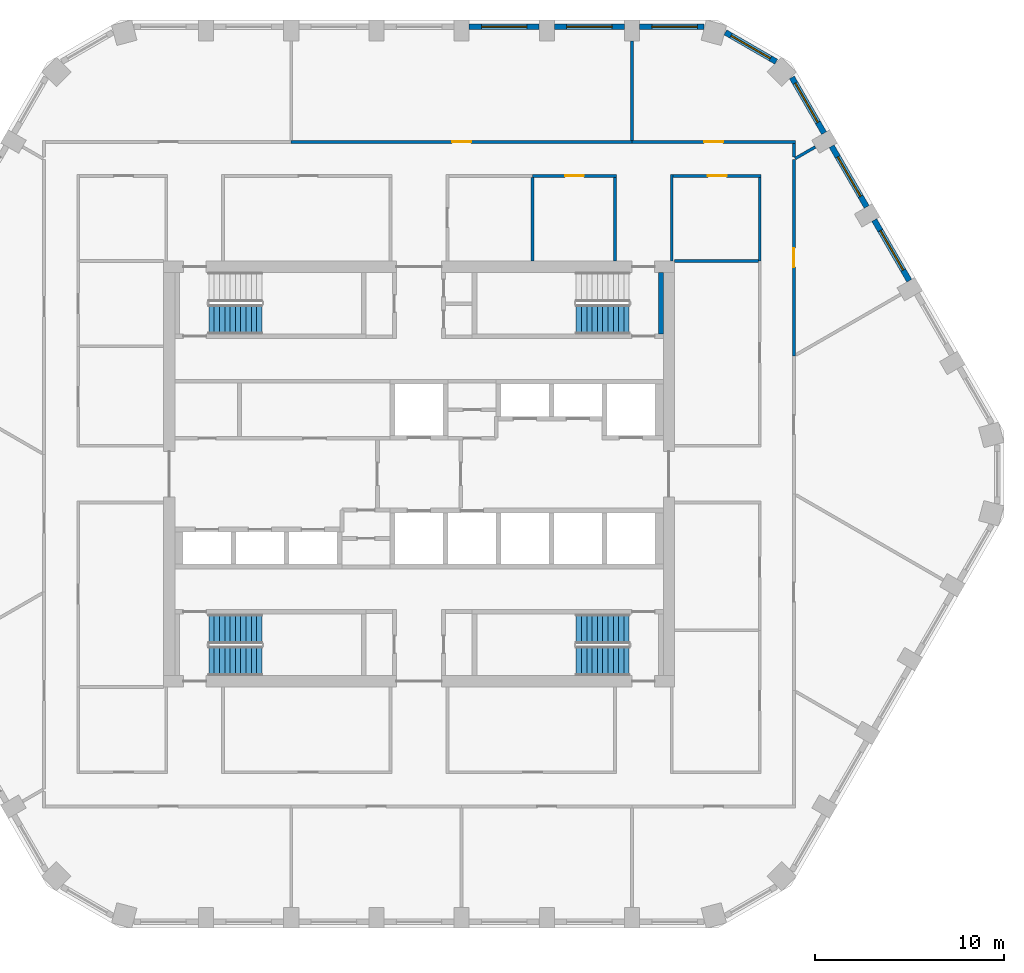
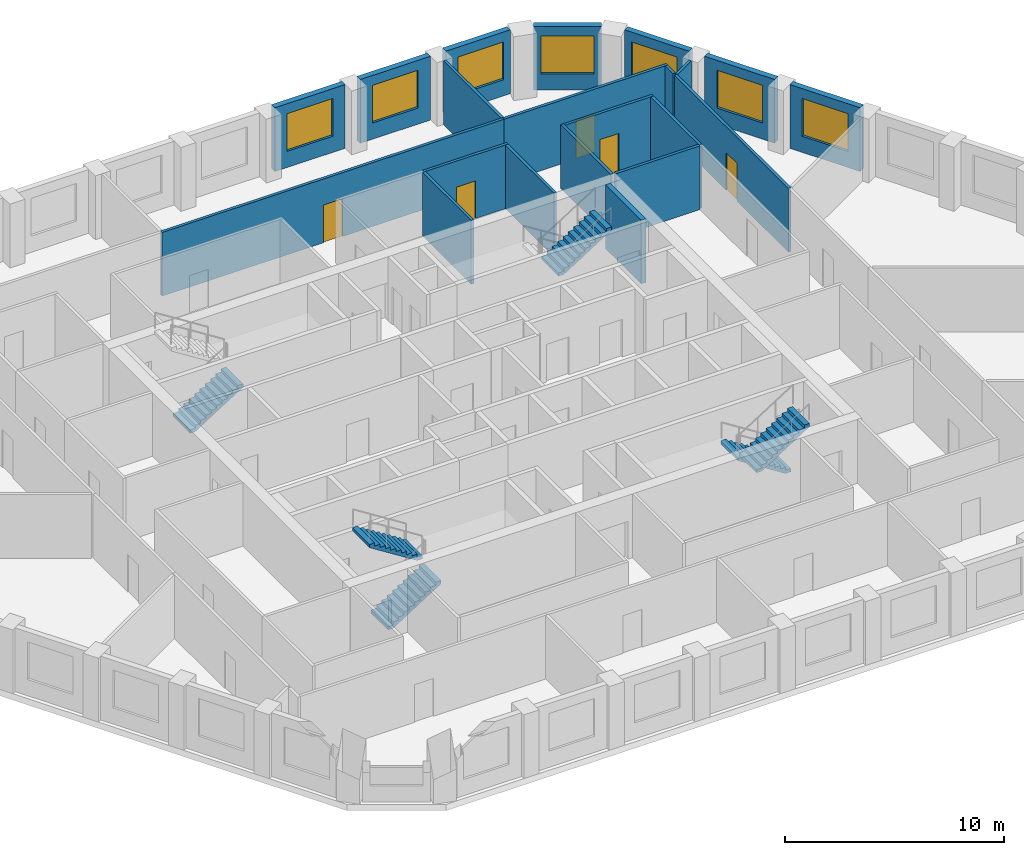
# One storey, part 7 of 9: 21 walls, 7 windows, 6 stair flights, 5 doors, 12 openings, 4 elements without a shape of their own.
"""IFC4 building model written with IfcOpenShell, lengths in metres."""

from ifc_helpers import new_model, si_unit, direction, frame, frame_2d, origin, place, context, subcontext, project, spatial, polyline, rectangle, outline, extrude, material, layer, layer_set, type_object, element, fill, aggregate, save


model = new_model("IFC4")

# Units and contexts
model_context = context("Model", 3, precision=1e-05, world=origin(), true_north=direction((0.0, 1.0)))
body_context = subcontext(model_context, "Body", "Model", "MODEL_VIEW")
ifc_project = project(units=[si_unit("LENGTHUNIT", "METRE"), si_unit("AREAUNIT", "SQUARE_METRE"), si_unit("VOLUMEUNIT", "CUBIC_METRE"), si_unit("PLANEANGLEUNIT", "RADIAN"), si_unit("MASSUNIT", "GRAM", prefix="KILO")], contexts=[model_context])

# Site, building, storey
site_placement = place(None, origin())
site = spatial("IfcSite", under=ifc_project, at=site_placement, CompositionType="ELEMENT")
building_placement = place(site_placement, origin())
building = spatial("IfcBuilding", under=site, at=building_placement, Name="Dhurran Vertical Campus", CompositionType="ELEMENT")
storey_placement = place(building_placement, frame((0.0, 0.0, 199.5)))
storey = spatial("IfcBuildingStorey", under=building, at=storey_placement, Name="L49", CompositionType="ELEMENT", Elevation=199.5)

# Wall, opening, window
ifc_material_1 = material(Name="Precast concrete C50/60", Category="concrete")
ifc_layer_1 = layer(ifc_material_1, 0.300048828125)
ifc_layer_set_1 = layer_set([ifc_layer_1], Name="Precast concrete C50/60")
wall_type_1 = type_object("IfcWallType", Name="Precast spandrel wall 300", PredefinedType="SOLIDWALL", material=ifc_layer_set_1)
wall_1_placement = place(storey_placement, frame((25.893798828125, 10.216064453125, 0.0), z_axis=(0.0, 0.0, 1.0), x_axis=(-0.500029062817, 0.866008623709, 0.0)))
wall_1 = element("IfcWall", 1, at=wall_1_placement, inside=storey, type_object=wall_type_1, Name="EW1 L49.16", PredefinedType="SOLIDWALL", context=body_context, shape_type="SweptSolid", body=[
    extrude(rectangle(XDim=3.698974609375, YDim=0.300048828125, at=frame_2d((1.849609375, 0.0))), origin(), (0.0, 0.0, 1.0), 3.550048828125),
])
opening_1_placement = place(wall_1_placement, frame((0.6494140625, 0.0, 0.89990234375)))
opening_1 = element("IfcOpeningElement", 2, at=opening_1_placement, cuts=wall_1, Name="Opening WT1", PredefinedType="OPENING", context=body_context, shape_type="SweptSolid", body=[
    extrude(rectangle(XDim=2.39990234375, YDim=2.10009765625, at=frame_2d((1.199951171875, 1.050048828125))), frame((0.0, 0.159912109375, 0.0), z_axis=(0.0, -1.0, 0.0), x_axis=(1.0, 0.0, 0.0)), (0.0, 0.0, 1.0), 0.320068359375),
])
ifc_material_2 = material(Name="Aluminium frame with solar-control glass", Category="aluminium")
window_type = type_object("IfcWindowType", Name="Punched window 2400 x 2100", PartitioningType="SINGLE_PANEL", PredefinedType="WINDOW", material=ifc_material_2)
window_1_placement = place(opening_1_placement, origin())
window_1 = element("IfcWindow", 3, at=window_1_placement, inside=storey, type_object=window_type, Name="WT1 L49.16", OverallHeight=2.10009765625, OverallWidth=2.39990234375, PartitioningType="SINGLE_PANEL", PredefinedType="WINDOW", context=body_context, shape_type="SweptSolid", body=[
    extrude(rectangle(XDim=2.39990234375, YDim=2.10009765625, at=frame_2d((1.199951171875, 1.050048828125))), frame((0.0, 0.030029296875, 0.0), z_axis=(0.0, -1.0, 0.0), x_axis=(1.0, 0.0, 0.0)), (0.0, 0.0, 1.0), 0.06005859375),
])
fill(opening_1, window_1)

wall_2_placement = place(storey_placement, frame((23.643798828125, 14.11328125, 0.0), z_axis=(0.0, 0.0, 1.0), x_axis=(-0.500029062817, 0.866008623709, 0.0)))
wall_2 = element("IfcWall", 4, at=wall_2_placement, inside=storey, type_object=wall_type_1, Name="EW1 L49.17", PredefinedType="SOLIDWALL", context=body_context, shape_type="SweptSolid", body=[
    extrude(rectangle(XDim=3.698974609375, YDim=0.300048828125, at=frame_2d((1.849609375, 0.0))), origin(), (0.0, 0.0, 1.0), 3.550048828125),
])
opening_2_placement = place(wall_2_placement, frame((0.6494140625, 0.0, 0.89990234375)))
opening_2 = element("IfcOpeningElement", 5, at=opening_2_placement, cuts=wall_2, Name="Opening WT1", PredefinedType="OPENING", context=body_context, shape_type="SweptSolid", body=[
    extrude(rectangle(XDim=2.39990234375, YDim=2.10009765625, at=frame_2d((1.199951171875, 1.050048828125))), frame((0.0, 0.159912109375, 0.0), z_axis=(0.0, -1.0, 0.0), x_axis=(1.0, 0.0, 0.0)), (0.0, 0.0, 1.0), 0.320068359375),
])
window_2_placement = place(opening_2_placement, origin())
window_2 = element("IfcWindow", 6, at=window_2_placement, inside=storey, type_object=window_type, Name="WT1 L49.17", OverallHeight=2.10009765625, OverallWidth=2.39990234375, PartitioningType="SINGLE_PANEL", PredefinedType="WINDOW", context=body_context, shape_type="SweptSolid", body=[
    extrude(rectangle(XDim=2.39990234375, YDim=2.10009765625, at=frame_2d((1.199951171875, 1.050048828125))), frame((0.0, 0.030029296875, 0.0), z_axis=(0.0, -1.0, 0.0), x_axis=(1.0, 0.0, 0.0)), (0.0, 0.0, 1.0), 0.06005859375),
])
fill(opening_2, window_2)

wall_3_placement = place(storey_placement, frame((21.393798828125, 18.01025390625, 0.0), z_axis=(0.0, 0.0, 1.0), x_axis=(-0.500012868213, 0.866017974191, 0.0)))
wall_3 = element("IfcWall", 7, at=wall_3_placement, inside=storey, type_object=wall_type_1, Name="EW1 L49.18", PredefinedType="SOLIDWALL", context=body_context, shape_type="SweptSolid", body=[
    extrude(rectangle(XDim=3.39599609375, YDim=0.300048828125, at=frame_2d((1.697998046875, 0.0))), origin(), (0.0, 0.0, 1.0), 3.550048828125),
])
opening_3_placement = place(wall_3_placement, frame((0.6494140625, 0.0, 0.89990234375)))
opening_3 = element("IfcOpeningElement", 8, at=opening_3_placement, cuts=wall_3, Name="Opening WT1", PredefinedType="OPENING", context=body_context, shape_type="SweptSolid", body=[
    extrude(rectangle(XDim=2.39990234375, YDim=2.10009765625, at=frame_2d((1.199951171875, 1.050048828125))), frame((0.0, 0.159912109375, 0.0), z_axis=(0.0, -1.0, 0.0), x_axis=(1.0, 0.0, 0.0)), (0.0, 0.0, 1.0), 0.320068359375),
])
window_3_placement = place(opening_3_placement, origin())
window_3 = element("IfcWindow", 9, at=window_3_placement, inside=storey, type_object=window_type, Name="WT1 L49.18", OverallHeight=2.10009765625, OverallWidth=2.39990234375, PartitioningType="SINGLE_PANEL", PredefinedType="WINDOW", context=body_context, shape_type="SweptSolid", body=[
    extrude(rectangle(XDim=2.39990234375, YDim=2.10009765625, at=frame_2d((1.199951171875, 1.050048828125))), frame((0.0, 0.030029296875, 0.0), z_axis=(0.0, -1.0, 0.0), x_axis=(1.0, 0.0, 0.0)), (0.0, 0.0, 1.0), 0.06005859375),
])
fill(opening_3, window_3)

wall_4_placement = place(storey_placement, frame((18.86279296875, 21.7841796875, 0.0), z_axis=(0.0, 0.0, 1.0), x_axis=(-0.865994975416, 0.500052699777, 0.0)))
wall_4 = element("IfcWall", 10, at=wall_4_placement, inside=storey, type_object=wall_type_1, Name="EW1 L49.19", PredefinedType="SOLIDWALL", context=body_context, shape_type="SweptSolid", body=[
    extrude(rectangle(XDim=3.093017578125, YDim=0.300048828125, at=frame_2d((1.54638671875, 0.0))), origin(), (0.0, 0.0, 1.0), 3.550048828125),
])
opening_4_placement = place(wall_4_placement, frame((0.34619140625, 0.0, 0.89990234375)))
opening_4 = element("IfcOpeningElement", 11, at=opening_4_placement, cuts=wall_4, Name="Opening WT1", PredefinedType="OPENING", context=body_context, shape_type="SweptSolid", body=[
    extrude(rectangle(XDim=2.39990234375, YDim=2.10009765625, at=frame_2d((1.199951171875, 1.050048828125))), frame((0.0, 0.159912109375, 0.0), z_axis=(0.0, -1.0, 0.0), x_axis=(1.0, 0.0, 0.0)), (0.0, 0.0, 1.0), 0.320068359375),
])
window_4_placement = place(opening_4_placement, origin())
window_4 = element("IfcWindow", 12, at=window_4_placement, inside=storey, type_object=window_type, Name="WT1 L49.19", OverallHeight=2.10009765625, OverallWidth=2.39990234375, PartitioningType="SINGLE_PANEL", PredefinedType="WINDOW", context=body_context, shape_type="SweptSolid", body=[
    extrude(rectangle(XDim=2.39990234375, YDim=2.10009765625, at=frame_2d((1.199951171875, 1.050048828125))), frame((0.0, 0.030029296875, 0.0), z_axis=(0.0, -1.0, 0.0), x_axis=(1.0, 0.0, 0.0)), (0.0, 0.0, 1.0), 0.06005859375),
])
fill(opening_4, window_4)

wall_5_placement = place(storey_placement, frame((15.04638671875, 23.635498046875, 0.0), z_axis=(0.0, 0.0, 1.0), x_axis=(-1.0, 0.0, 0.0)))
wall_5 = element("IfcWall", 13, at=wall_5_placement, inside=storey, type_object=wall_type_1, Name="EW1 L49.20", PredefinedType="SOLIDWALL", context=body_context, shape_type="SweptSolid", body=[
    extrude(rectangle(XDim=3.39599609375, YDim=0.300048828125, at=frame_2d((1.697998046875, 0.0))), origin(), (0.0, 0.0, 1.0), 3.550048828125),
])
opening_5_placement = place(wall_5_placement, frame((0.34619140625, 0.0, 0.89990234375)))
opening_5 = element("IfcOpeningElement", 14, at=opening_5_placement, cuts=wall_5, Name="Opening WT1", PredefinedType="OPENING", context=body_context, shape_type="SweptSolid", body=[
    extrude(rectangle(XDim=2.39990234375, YDim=2.10009765625, at=frame_2d((1.199951171875, 1.050048828125))), frame((0.0, 0.159912109375, 0.0), z_axis=(0.0, -1.0, 0.0), x_axis=(1.0, 0.0, 0.0)), (0.0, 0.0, 1.0), 0.320068359375),
])
window_5_placement = place(opening_5_placement, origin())
window_5 = element("IfcWindow", 15, at=window_5_placement, inside=storey, type_object=window_type, Name="WT1 L49.20", OverallHeight=2.10009765625, OverallWidth=2.39990234375, PartitioningType="SINGLE_PANEL", PredefinedType="WINDOW", context=body_context, shape_type="SweptSolid", body=[
    extrude(rectangle(XDim=2.39990234375, YDim=2.10009765625, at=frame_2d((1.199951171875, 1.050048828125))), frame((0.0, 0.030029296875, 0.0), z_axis=(0.0, -1.0, 0.0), x_axis=(1.0, 0.0, 0.0)), (0.0, 0.0, 1.0), 0.06005859375),
])
fill(opening_5, window_5)

wall_6_placement = place(storey_placement, frame((10.849609375, 23.635498046875, 0.0), z_axis=(0.0, 0.0, 1.0), x_axis=(-1.0, 0.0, 0.0)))
wall_6 = element("IfcWall", 16, at=wall_6_placement, inside=storey, type_object=wall_type_1, Name="EW1 L49.21", PredefinedType="SOLIDWALL", context=body_context, shape_type="SweptSolid", body=[
    extrude(rectangle(XDim=3.69921875, YDim=0.300048828125, at=frame_2d((1.849609375, 0.0))), origin(), (0.0, 0.0, 1.0), 3.550048828125),
])
opening_6_placement = place(wall_6_placement, frame((0.6494140625, 0.0, 0.89990234375)))
opening_6 = element("IfcOpeningElement", 17, at=opening_6_placement, cuts=wall_6, Name="Opening WT1", PredefinedType="OPENING", context=body_context, shape_type="SweptSolid", body=[
    extrude(rectangle(XDim=2.39990234375, YDim=2.10009765625, at=frame_2d((1.199951171875, 1.050048828125))), frame((0.0, 0.159912109375, 0.0), z_axis=(0.0, -1.0, 0.0), x_axis=(1.0, 0.0, 0.0)), (0.0, 0.0, 1.0), 0.320068359375),
])
window_6_placement = place(opening_6_placement, origin())
window_6 = element("IfcWindow", 18, at=window_6_placement, inside=storey, type_object=window_type, Name="WT1 L49.21", OverallHeight=2.10009765625, OverallWidth=2.39990234375, PartitioningType="SINGLE_PANEL", PredefinedType="WINDOW", context=body_context, shape_type="SweptSolid", body=[
    extrude(rectangle(XDim=2.39990234375, YDim=2.10009765625, at=frame_2d((1.199951171875, 1.050048828125))), frame((0.0, 0.030029296875, 0.0), z_axis=(0.0, -1.0, 0.0), x_axis=(1.0, 0.0, 0.0)), (0.0, 0.0, 1.0), 0.06005859375),
])
fill(opening_6, window_6)

wall_7_placement = place(storey_placement, frame((6.349609375, 23.635498046875, 0.0), z_axis=(0.0, 0.0, 1.0), x_axis=(-1.0, 0.0, 0.0)))
wall_7 = element("IfcWall", 19, at=wall_7_placement, inside=storey, type_object=wall_type_1, Name="EW1 L49.22", PredefinedType="SOLIDWALL", context=body_context, shape_type="SweptSolid", body=[
    extrude(rectangle(XDim=3.69921875, YDim=0.300048828125, at=frame_2d((1.849609375, 0.0))), origin(), (0.0, 0.0, 1.0), 3.550048828125),
])
opening_7_placement = place(wall_7_placement, frame((0.6494140625, 0.0, 0.89990234375)))
opening_7 = element("IfcOpeningElement", 20, at=opening_7_placement, cuts=wall_7, Name="Opening WT1", PredefinedType="OPENING", context=body_context, shape_type="SweptSolid", body=[
    extrude(rectangle(XDim=2.39990234375, YDim=2.10009765625, at=frame_2d((1.199951171875, 1.050048828125))), frame((0.0, 0.159912109375, 0.0), z_axis=(0.0, -1.0, 0.0), x_axis=(1.0, 0.0, 0.0)), (0.0, 0.0, 1.0), 0.320068359375),
])
window_7_placement = place(opening_7_placement, origin())
window_7 = element("IfcWindow", 21, at=window_7_placement, inside=storey, type_object=window_type, Name="WT1 L49.22", OverallHeight=2.10009765625, OverallWidth=2.39990234375, PartitioningType="SINGLE_PANEL", PredefinedType="WINDOW", context=body_context, shape_type="SweptSolid", body=[
    extrude(rectangle(XDim=2.39990234375, YDim=2.10009765625, at=frame_2d((1.199951171875, 1.050048828125))), frame((0.0, 0.030029296875, 0.0), z_axis=(0.0, -1.0, 0.0), x_axis=(1.0, 0.0, 0.0)), (0.0, 0.0, 1.0), 0.06005859375),
])
fill(opening_7, window_7)

# Wall
ifc_material_3 = material(Name="Concrete C40/50", Category="concrete")
ifc_layer_2 = layer(ifc_material_3, 0.25)
ifc_layer_set_2 = layer_set([ifc_layer_2], Name="Concrete C40/50")
wall_type_2 = type_object("IfcWallType", Name="co-STAIR-WALL-250", PredefinedType="SHEAR", material=ifc_layer_set_2)
wall_8_placement = place(storey_placement, frame((12.77490234375, 7.39990234375, 0.0), z_axis=(0.0, 0.0, 1.0), x_axis=(0.0, 1.0, 0.0)))
element("IfcWall", 22, at=wall_8_placement, inside=storey, type_object=wall_type_2, Name="Stair ST2 enclosure wall L49", PredefinedType="SHEAR", context=body_context, shape_type="SweptSolid", body=[
    extrude(rectangle(XDim=3.25, YDim=0.25, at=frame_2d((1.625, 0.0))), origin(), (0.0, 0.0, 1.0), 3.550048828125),
])

# Wall, opening, door
ifc_material_4 = material(Name="Gypsum board corridor wall on steel studs", Category="steel")
ifc_layer_3 = layer(ifc_material_4, 0.14990234375)
ifc_layer_set_3 = layer_set([ifc_layer_3], Name="Gypsum board corridor wall on steel studs")
wall_type_3 = type_object("IfcWallType", Name="fl-CW-150 corridor wall", PredefinedType="PARTITIONING", material=ifc_layer_set_3)
wall_9_placement = place(storey_placement, frame((11.25, 17.550048828125, 0.0), z_axis=(0.0, 0.0, 1.0), x_axis=(-1.0, 0.0, 0.0)))
wall_9 = element("IfcWall", 23, at=wall_9_placement, inside=storey, type_object=wall_type_3, Name="Partition 49-33", PredefinedType="PARTITIONING", context=body_context, shape_type="SweptSolid", body=[
    extrude(rectangle(XDim=18.0, YDim=0.14990234375, at=frame_2d((9.0, 0.0))), origin(), (0.0, 0.0, 1.0), 3.550048828125),
])
opening_8_placement = place(wall_9_placement, frame((8.5, 0.0, 0.0)))
opening_8 = element("IfcOpeningElement", 24, at=opening_8_placement, cuts=wall_9, Name="Opening T14.14", PredefinedType="OPENING", context=body_context, shape_type="SweptSolid", body=[
    extrude(rectangle(XDim=1.0, YDim=2.10009765625, at=frame_2d((0.5, 1.050048828125))), frame((0.0, 0.0849609375, 0.0), z_axis=(0.0, -1.0, 0.0), x_axis=(1.0, 0.0, 0.0)), (0.0, 0.0, 1.0), 0.169921875),
])
ifc_material_5 = material(Name="Solid-core timber door set, fire-rated", Category="wood")
door_type = type_object("IfcDoorType", Name="fl-D-1000x2100", OperationType="SINGLE_SWING_LEFT", PredefinedType="DOOR", material=ifc_material_5)
door_1_placement = place(opening_8_placement, origin())
door_1 = element("IfcDoor", 25, at=door_1_placement, inside=storey, type_object=door_type, Name="Door 49.14", OperationType="SINGLE_SWING_RIGHT", OverallHeight=2.10009765625, OverallWidth=1.0, PredefinedType="DOOR", context=body_context, shape_type="SweptSolid", body=[
    extrude(rectangle(XDim=1.0, YDim=2.10009765625, at=frame_2d((0.5, 1.050048828125))), frame((0.0, 0.02490234375, 0.0), z_axis=(0.0, -1.0, 0.0), x_axis=(1.0, 0.0, 0.0)), (0.0, 0.0, 1.0), 0.050048828125),
])
fill(opening_8, door_1)

wall_10_placement = place(storey_placement, frame((6.0, 15.75, 0.0), z_axis=(0.0, 0.0, 1.0), x_axis=(1.0, 0.0, 0.0)))
wall_10 = element("IfcWall", 26, at=wall_10_placement, inside=storey, type_object=wall_type_3, Name="Partition 49-43", PredefinedType="PARTITIONING", context=body_context, shape_type="SweptSolid", body=[
    extrude(rectangle(XDim=4.425048828125, YDim=0.14990234375, at=frame_2d((2.21240234375, 0.0))), origin(), (0.0, 0.0, 1.0), 3.550048828125),
])
opening_9_placement = place(wall_10_placement, frame((1.71240234375, 0.0, 0.0)))
opening_9 = element("IfcOpeningElement", 27, at=opening_9_placement, cuts=wall_10, Name="Opening T14.18", PredefinedType="OPENING", context=body_context, shape_type="SweptSolid", body=[
    extrude(rectangle(XDim=1.0, YDim=2.10009765625, at=frame_2d((0.5, 1.050048828125))), frame((0.0, 0.0849609375, 0.0), z_axis=(0.0, -1.0, 0.0), x_axis=(1.0, 0.0, 0.0)), (0.0, 0.0, 1.0), 0.169921875),
])
door_2_placement = place(opening_9_placement, origin())
door_2 = element("IfcDoor", 28, at=door_2_placement, inside=storey, type_object=door_type, Name="Door 49.18", OperationType="SINGLE_SWING_LEFT", OverallHeight=2.10009765625, OverallWidth=1.0, PredefinedType="DOOR", context=body_context, shape_type="SweptSolid", body=[
    extrude(rectangle(XDim=1.0, YDim=2.10009765625, at=frame_2d((0.5, 1.050048828125))), frame((0.0, 0.02490234375, 0.0), z_axis=(0.0, -1.0, 0.0), x_axis=(1.0, 0.0, 0.0)), (0.0, 0.0, 1.0), 0.050048828125),
])
fill(opening_9, door_2)

# Wall
wall_11_placement = place(storey_placement, frame((10.35009765625, 15.675048828125, 0.0), z_axis=(0.0, 0.0, 1.0), x_axis=(0.0, -1.0, 0.0)))
element("IfcWall", 29, at=wall_11_placement, inside=storey, type_object=wall_type_3, Name="Partition 49-45", PredefinedType="PARTITIONING", context=body_context, shape_type="SweptSolid", body=[
    extrude(rectangle(XDim=4.425048828125, YDim=0.14990234375, at=frame_2d((2.21240234375, 0.0))), origin(), (0.0, 0.0, 1.0), 3.550048828125),
])

# Wall, opening, door
wall_12_placement = place(storey_placement, frame((19.875, 17.550048828125, 0.0), z_axis=(0.0, 0.0, 1.0), x_axis=(-1.0, 0.0, 0.0)))
wall_12 = element("IfcWall", 30, at=wall_12_placement, inside=storey, type_object=wall_type_3, Name="Partition 49-49", PredefinedType="PARTITIONING", context=body_context, shape_type="SweptSolid", body=[
    extrude(rectangle(XDim=8.625, YDim=0.14990234375, at=frame_2d((4.3125, 0.0))), origin(), (0.0, 0.0, 1.0), 3.550048828125),
])
opening_10_placement = place(wall_12_placement, frame((3.8125, 0.0, 0.0)))
opening_10 = element("IfcOpeningElement", 31, at=opening_10_placement, cuts=wall_12, Name="Opening T14.19", PredefinedType="OPENING", context=body_context, shape_type="SweptSolid", body=[
    extrude(rectangle(XDim=1.0, YDim=2.10009765625, at=frame_2d((0.5, 1.050048828125))), frame((0.0, 0.0849609375, 0.0), z_axis=(0.0, -1.0, 0.0), x_axis=(1.0, 0.0, 0.0)), (0.0, 0.0, 1.0), 0.169921875),
])
door_3_placement = place(opening_10_placement, origin())
door_3 = element("IfcDoor", 32, at=door_3_placement, inside=storey, type_object=door_type, Name="Door 49.19", OperationType="SINGLE_SWING_RIGHT", OverallHeight=2.10009765625, OverallWidth=1.0, PredefinedType="DOOR", context=body_context, shape_type="SweptSolid", body=[
    extrude(rectangle(XDim=1.0, YDim=2.10009765625, at=frame_2d((0.5, 1.050048828125))), frame((0.0, 0.02490234375, 0.0), z_axis=(0.0, -1.0, 0.0), x_axis=(1.0, 0.0, 0.0)), (0.0, 0.0, 1.0), 0.050048828125),
])
fill(opening_10, door_3)

# Wall
wall_13_placement = place(storey_placement, frame((13.35009765625, 11.25, 0.0), z_axis=(0.0, 0.0, 1.0), x_axis=(0.0, 1.0, 0.0)))
element("IfcWall", 33, at=wall_13_placement, inside=storey, type_object=wall_type_3, Name="Partition 49-52", PredefinedType="PARTITIONING", context=body_context, shape_type="SweptSolid", body=[
    extrude(rectangle(XDim=4.574951171875, YDim=0.14990234375, at=frame_2d((2.28759765625, 0.0))), origin(), (0.0, 0.0, 1.0), 3.550048828125),
])

# Wall, opening, door
wall_14_placement = place(storey_placement, frame((13.425048828125, 15.75, 0.0), z_axis=(0.0, 0.0, 1.0), x_axis=(1.0, 0.0, 0.0)))
wall_14 = element("IfcWall", 34, at=wall_14_placement, inside=storey, type_object=wall_type_3, Name="Partition 49-53", PredefinedType="PARTITIONING", context=body_context, shape_type="SweptSolid", body=[
    extrude(rectangle(XDim=4.64990234375, YDim=0.14990234375, at=frame_2d((2.324951171875, 0.0))), origin(), (0.0, 0.0, 1.0), 3.550048828125),
])
opening_11_placement = place(wall_14_placement, frame((1.824951171875, 0.0, 0.0)))
opening_11 = element("IfcOpeningElement", 35, at=opening_11_placement, cuts=wall_14, Name="Opening T14.20", PredefinedType="OPENING", context=body_context, shape_type="SweptSolid", body=[
    extrude(rectangle(XDim=1.0, YDim=2.10009765625, at=frame_2d((0.5, 1.050048828125))), frame((0.0, 0.0849609375, 0.0), z_axis=(0.0, -1.0, 0.0), x_axis=(1.0, 0.0, 0.0)), (0.0, 0.0, 1.0), 0.169921875),
])
door_4_placement = place(opening_11_placement, origin())
door_4 = element("IfcDoor", 36, at=door_4_placement, inside=storey, type_object=door_type, Name="Door 49.20", OperationType="SINGLE_SWING_LEFT", OverallHeight=2.10009765625, OverallWidth=1.0, PredefinedType="DOOR", context=body_context, shape_type="SweptSolid", body=[
    extrude(rectangle(XDim=1.0, YDim=2.10009765625, at=frame_2d((0.5, 1.050048828125))), frame((0.0, 0.02490234375, 0.0), z_axis=(0.0, -1.0, 0.0), x_axis=(1.0, 0.0, 0.0)), (0.0, 0.0, 1.0), 0.050048828125),
])
fill(opening_11, door_4)

# Wall
wall_15_placement = place(storey_placement, frame((18.0, 15.675048828125, 0.0), z_axis=(0.0, 0.0, 1.0), x_axis=(0.0, -1.0, 0.0)))
element("IfcWall", 37, at=wall_15_placement, inside=storey, type_object=wall_type_3, Name="Partition 49-61", PredefinedType="PARTITIONING", context=body_context, shape_type="SweptSolid", body=[
    extrude(rectangle(XDim=4.425048828125, YDim=0.14990234375, at=frame_2d((2.21240234375, 0.0))), origin(), (0.0, 0.0, 1.0), 3.550048828125),
])

# Wall, opening, door
wall_16_placement = place(storey_placement, frame((19.800048828125, 6.235107421875, 0.0), z_axis=(0.0, 0.0, 1.0), x_axis=(0.0, 1.0, 0.0)))
wall_16 = element("IfcWall", 38, at=wall_16_placement, inside=storey, type_object=wall_type_3, Name="Partition 49-67", PredefinedType="PARTITIONING", context=body_context, shape_type="SweptSolid", body=[
    extrude(rectangle(XDim=10.392822265625, YDim=0.14990234375, at=frame_2d((5.1962890625, 0.0))), origin(), (0.0, 0.0, 1.0), 3.550048828125),
])
opening_12_placement = place(wall_16_placement, frame((4.696533203125, 0.0, 0.0)))
opening_12 = element("IfcOpeningElement", 39, at=opening_12_placement, cuts=wall_16, Name="Opening T14.25", PredefinedType="OPENING", context=body_context, shape_type="SweptSolid", body=[
    extrude(rectangle(XDim=1.0, YDim=2.10009765625, at=frame_2d((0.5, 1.050048828125))), frame((0.0, 0.0849609375, 0.0), z_axis=(0.0, -1.0, 0.0), x_axis=(1.0, 0.0, 0.0)), (0.0, 0.0, 1.0), 0.169921875),
])
door_5_placement = place(opening_12_placement, origin())
door_5 = element("IfcDoor", 40, at=door_5_placement, inside=storey, type_object=door_type, Name="Door 49.25", OperationType="SINGLE_SWING_LEFT", OverallHeight=2.10009765625, OverallWidth=1.0, PredefinedType="DOOR", context=body_context, shape_type="SweptSolid", body=[
    extrude(rectangle(XDim=1.0, YDim=2.10009765625, at=frame_2d((0.5, 1.050048828125))), frame((0.0, 0.02490234375, 0.0), z_axis=(0.0, -1.0, 0.0), x_axis=(1.0, 0.0, 0.0)), (0.0, 0.0, 1.0), 0.050048828125),
])
fill(opening_12, door_5)

# Walls
wall_17_placement = place(storey_placement, frame((19.800048828125, 16.758056640625, 0.0), z_axis=(0.0, 0.0, 1.0), x_axis=(0.0, 1.0, 0.0)))
element("IfcWall", 41, at=wall_17_placement, inside=storey, type_object=wall_type_3, Name="Partition 49-69", PredefinedType="PARTITIONING", context=body_context, shape_type="SweptSolid", body=[
    extrude(rectangle(XDim=0.717041015625, YDim=0.14990234375, at=frame_2d((0.3583984375, 0.0))), origin(), (0.0, 0.0, 1.0), 3.550048828125),
])
ifc_material_6 = material(Name="Gypsum board partition on steel studs", Category="steel")
ifc_layer_4 = layer(ifc_material_6, 0.14990234375)
ifc_layer_set_4 = layer_set([ifc_layer_4], Name="Gypsum board partition on steel studs")
wall_type_4 = type_object("IfcWallType", Name="fl-PW-150 fixed partition", PredefinedType="PARTITIONING", material=ifc_layer_set_4)
wall_18_placement = place(storey_placement, frame((6.0, 15.675048828125, 0.0), z_axis=(0.0, 0.0, 1.0), x_axis=(0.0, -1.0, 0.0)))
element("IfcWall", 42, at=wall_18_placement, inside=storey, type_object=wall_type_4, Name="Partition 49-42", PredefinedType="PARTITIONING", context=body_context, shape_type="SweptSolid", body=[
    extrude(rectangle(XDim=4.425048828125, YDim=0.14990234375, at=frame_2d((2.21240234375, 0.0))), origin(), (0.0, 0.0, 1.0), 3.550048828125),
])
wall_19_placement = place(storey_placement, frame((11.25, 22.865478515625, 0.0), z_axis=(0.0, 0.0, 1.0), x_axis=(0.0, -1.0, 0.0)))
element("IfcWall", 43, at=wall_19_placement, inside=storey, type_object=wall_type_4, Name="Partition 49-48", PredefinedType="PARTITIONING", context=body_context, shape_type="SweptSolid", body=[
    extrude(rectangle(XDim=5.240478515625, YDim=0.14990234375, at=frame_2d((2.6201171875, 0.0))), origin(), (0.0, 0.0, 1.0), 3.550048828125),
])
wall_20_placement = place(storey_placement, frame((17.925048828125, 11.25, 0.0), z_axis=(0.0, 0.0, 1.0), x_axis=(-1.0, 0.0, 0.0)))
element("IfcWall", 44, at=wall_20_placement, inside=storey, type_object=wall_type_4, Name="Partition 49-57", PredefinedType="PARTITIONING", context=body_context, shape_type="SweptSolid", body=[
    extrude(rectangle(XDim=4.425048828125, YDim=0.14990234375, at=frame_2d((2.21240234375, 0.0))), origin(), (0.0, 0.0, 1.0), 3.550048828125),
])
wall_21_placement = place(storey_placement, frame((20.92724609375, 17.2783203125, 0.0), z_axis=(0.0, 0.0, 1.0), x_axis=(-0.866202157257, -0.499693728962, 0.0)))
element("IfcWall", 45, at=wall_21_placement, inside=storey, type_object=wall_type_4, Name="Partition 49-70", PredefinedType="PARTITIONING", context=body_context, shape_type="SweptSolid", body=[
    extrude(rectangle(XDim=1.226318359375, YDim=0.14990234375, at=frame_2d((0.61328125, 0.0))), origin(), (0.0, 0.0, 1.0), 3.550048828125),
])

# Stair, stair flight
ifc_material_7 = material(Name="Concrete C40/50", Category="concrete")
stair_type = type_object("IfcStairType", Name="co-ST-CORE", PredefinedType="HALF_TURN_STAIR", material=ifc_material_7)
stair_1_placement = place(storey_placement, origin())
stair_1 = element("IfcStair", 46, at=stair_1_placement, inside=storey, type_object=stair_type, Name="L49 Protected exit stair ST1", PredefinedType="HALF_TURN_STAIR")
ifc_material_8 = material(Name="Concrete C40/50", Category="concrete")
stair_flight_type = type_object("IfcStairFlightType", Name="co-SFL-RC", PredefinedType="STRAIGHT", material=ifc_material_8)
stair_flight_1_placement = place(storey_placement, frame((-11.10009765625, 8.175048828125, 0.0), z_axis=(0.0, 0.0, 1.0), x_axis=(1.0, 0.0, 0.0)))
stair_flight_1 = element("IfcStairFlight", 47, at=stair_flight_1_placement, type_object=stair_flight_type, Name="ST1 flight 1", NumberOfRisers=11, NumberOfTreads=10, PredefinedType="STRAIGHT", RiserHeight=0.177272727, TreadLength=0.28, context=body_context, shape_type="SweptSolid", body=[
    extrude(outline(polyline([(0.0, 0.0), (0.0, 0.17724609375), (0.280029296875, 0.17724609375), (0.280029296875, 0.3544921875), (0.56005859375, 0.3544921875), (0.56005859375, 0.53173828125), (0.840087890625, 0.53173828125), (0.840087890625, 0.708984375), (1.1201171875, 0.708984375), (1.1201171875, 0.886474609375), (1.39990234375, 0.886474609375), (1.39990234375, 1.063720703125), (1.679931640625, 1.063720703125), (1.679931640625, 1.240966796875), (1.9599609375, 1.240966796875), (1.9599609375, 1.418212890625), (2.239990234375, 1.418212890625), (2.239990234375, 1.595458984375), (2.52001953125, 1.595458984375), (2.52001953125, 1.772705078125), (2.800048828125, 1.772705078125), (2.800048828125, 1.949951171875), (2.800048828125, 1.59521484375), (0.2802734375, 0.0), (0.0, 0.0)])), frame((0.0, 0.77490234375, 0.0), z_axis=(0.0, -1.0, 0.0), x_axis=(1.0, 0.0, 0.0)), (0.0, 0.0, 1.0), 1.550048828125),
])
aggregate(stair_1, [stair_flight_1])

stair_2_placement = place(storey_placement, origin())
stair_2 = element("IfcStair", 48, at=stair_2_placement, inside=storey, type_object=stair_type, Name="L49 Protected exit stair ST2", PredefinedType="HALF_TURN_STAIR")
stair_flight_2_placement = place(storey_placement, frame((8.300048828125, 8.175048828125, 1.949951171875), z_axis=(0.0, 0.0, 1.0), x_axis=(1.0, 0.0, 0.0)))
stair_flight_2 = element("IfcStairFlight", 49, at=stair_flight_2_placement, type_object=stair_flight_type, Name="ST2 flight 2", NumberOfRisers=11, NumberOfTreads=10, PredefinedType="STRAIGHT", RiserHeight=0.177272727, TreadLength=0.28, context=body_context, shape_type="SweptSolid", body=[
    extrude(outline(polyline([(0.0, 0.0), (0.0, 0.17724609375), (0.280029296875, 0.17724609375), (0.280029296875, 0.3544921875), (0.56005859375, 0.3544921875), (0.56005859375, 0.53173828125), (0.840087890625, 0.53173828125), (0.840087890625, 0.708984375), (1.1201171875, 0.708984375), (1.1201171875, 0.886474609375), (1.39990234375, 0.886474609375), (1.39990234375, 1.063720703125), (1.679931640625, 1.063720703125), (1.679931640625, 1.240966796875), (1.9599609375, 1.240966796875), (1.9599609375, 1.418212890625), (2.239990234375, 1.418212890625), (2.239990234375, 1.595458984375), (2.52001953125, 1.595458984375), (2.52001953125, 1.772705078125), (2.800048828125, 1.772705078125), (2.800048828125, 1.949951171875), (2.800048828125, 1.59521484375), (0.2802734375, 0.0), (0.0, 0.0)])), frame((0.0, 0.77490234375, 0.0), z_axis=(0.0, -1.0, 0.0), x_axis=(1.0, 0.0, 0.0)), (0.0, 0.0, 1.0), 1.550048828125),
])
aggregate(stair_2, [stair_flight_2])

# Stair, stair flights
stair_3_placement = place(storey_placement, origin())
stair_3 = element("IfcStair", 50, at=stair_3_placement, inside=storey, type_object=stair_type, Name="L49 Protected exit stair ST3", PredefinedType="HALF_TURN_STAIR")
stair_flight_3_placement = place(storey_placement, frame((-11.10009765625, -9.875, 0.0), z_axis=(0.0, 0.0, 1.0), x_axis=(1.0, 0.0, 0.0)))
stair_flight_3 = element("IfcStairFlight", 51, at=stair_flight_3_placement, type_object=stair_flight_type, Name="ST3 flight 1", NumberOfRisers=11, NumberOfTreads=10, PredefinedType="STRAIGHT", RiserHeight=0.177272727, TreadLength=0.28, context=body_context, shape_type="SweptSolid", body=[
    extrude(outline(polyline([(0.0, 0.0), (0.0, 0.17724609375), (0.280029296875, 0.17724609375), (0.280029296875, 0.3544921875), (0.56005859375, 0.3544921875), (0.56005859375, 0.53173828125), (0.840087890625, 0.53173828125), (0.840087890625, 0.708984375), (1.1201171875, 0.708984375), (1.1201171875, 0.886474609375), (1.39990234375, 0.886474609375), (1.39990234375, 1.063720703125), (1.679931640625, 1.063720703125), (1.679931640625, 1.240966796875), (1.9599609375, 1.240966796875), (1.9599609375, 1.418212890625), (2.239990234375, 1.418212890625), (2.239990234375, 1.595458984375), (2.52001953125, 1.595458984375), (2.52001953125, 1.772705078125), (2.800048828125, 1.772705078125), (2.800048828125, 1.949951171875), (2.800048828125, 1.59521484375), (0.2802734375, 0.0), (0.0, 0.0)])), frame((0.0, 0.77490234375, 0.0), z_axis=(0.0, -1.0, 0.0), x_axis=(1.0, 0.0, 0.0)), (0.0, 0.0, 1.0), 1.550048828125),
])
stair_flight_4_placement = place(storey_placement, frame((-8.300048828125, -8.175048828125, 1.949951171875), z_axis=(0.0, 0.0, 1.0), x_axis=(-1.0, 0.0, 0.0)))
stair_flight_4 = element("IfcStairFlight", 52, at=stair_flight_4_placement, type_object=stair_flight_type, Name="ST3 flight 2", NumberOfRisers=11, NumberOfTreads=10, PredefinedType="STRAIGHT", RiserHeight=0.177272727, TreadLength=0.28, context=body_context, shape_type="SweptSolid", body=[
    extrude(outline(polyline([(0.0, 0.0), (0.0, 0.17724609375), (0.280029296875, 0.17724609375), (0.280029296875, 0.3544921875), (0.56005859375, 0.3544921875), (0.56005859375, 0.53173828125), (0.840087890625, 0.53173828125), (0.840087890625, 0.708984375), (1.1201171875, 0.708984375), (1.1201171875, 0.886474609375), (1.39990234375, 0.886474609375), (1.39990234375, 1.063720703125), (1.679931640625, 1.063720703125), (1.679931640625, 1.240966796875), (1.9599609375, 1.240966796875), (1.9599609375, 1.418212890625), (2.239990234375, 1.418212890625), (2.239990234375, 1.595458984375), (2.52001953125, 1.595458984375), (2.52001953125, 1.772705078125), (2.800048828125, 1.772705078125), (2.800048828125, 1.949951171875), (2.800048828125, 1.59521484375), (0.2802734375, 0.0), (0.0, 0.0)])), frame((0.0, 0.77490234375, 0.0), z_axis=(0.0, -1.0, 0.0), x_axis=(1.0, 0.0, 0.0)), (0.0, 0.0, 1.0), 1.550048828125),
])
aggregate(stair_3, [stair_flight_3, stair_flight_4])

stair_4_placement = place(storey_placement, origin())
stair_4 = element("IfcStair", 53, at=stair_4_placement, inside=storey, type_object=stair_type, Name="L49 Protected exit stair ST4", PredefinedType="HALF_TURN_STAIR")
stair_flight_5_placement = place(storey_placement, frame((11.10009765625, -8.175048828125, 0.0), z_axis=(0.0, 0.0, 1.0), x_axis=(-1.0, 0.0, 0.0)))
stair_flight_5 = element("IfcStairFlight", 54, at=stair_flight_5_placement, type_object=stair_flight_type, Name="ST4 flight 1", NumberOfRisers=11, NumberOfTreads=10, PredefinedType="STRAIGHT", RiserHeight=0.177272727, TreadLength=0.28, context=body_context, shape_type="SweptSolid", body=[
    extrude(outline(polyline([(0.0, 0.0), (0.0, 0.17724609375), (0.280029296875, 0.17724609375), (0.280029296875, 0.3544921875), (0.56005859375, 0.3544921875), (0.56005859375, 0.53173828125), (0.840087890625, 0.53173828125), (0.840087890625, 0.708984375), (1.1201171875, 0.708984375), (1.1201171875, 0.886474609375), (1.39990234375, 0.886474609375), (1.39990234375, 1.063720703125), (1.679931640625, 1.063720703125), (1.679931640625, 1.240966796875), (1.9599609375, 1.240966796875), (1.9599609375, 1.418212890625), (2.239990234375, 1.418212890625), (2.239990234375, 1.595458984375), (2.52001953125, 1.595458984375), (2.52001953125, 1.772705078125), (2.800048828125, 1.772705078125), (2.800048828125, 1.949951171875), (2.800048828125, 1.59521484375), (0.2802734375, 0.0), (0.0, 0.0)])), frame((0.0, 0.77490234375, 0.0), z_axis=(0.0, -1.0, 0.0), x_axis=(1.0, 0.0, 0.0)), (0.0, 0.0, 1.0), 1.550048828125),
])
stair_flight_6_placement = place(storey_placement, frame((8.300048828125, -9.875, 1.949951171875), z_axis=(0.0, 0.0, 1.0), x_axis=(1.0, 0.0, 0.0)))
stair_flight_6 = element("IfcStairFlight", 55, at=stair_flight_6_placement, type_object=stair_flight_type, Name="ST4 flight 2", NumberOfRisers=11, NumberOfTreads=10, PredefinedType="STRAIGHT", RiserHeight=0.177272727, TreadLength=0.28, context=body_context, shape_type="SweptSolid", body=[
    extrude(outline(polyline([(0.0, 0.0), (0.0, 0.17724609375), (0.280029296875, 0.17724609375), (0.280029296875, 0.3544921875), (0.56005859375, 0.3544921875), (0.56005859375, 0.53173828125), (0.840087890625, 0.53173828125), (0.840087890625, 0.708984375), (1.1201171875, 0.708984375), (1.1201171875, 0.886474609375), (1.39990234375, 0.886474609375), (1.39990234375, 1.063720703125), (1.679931640625, 1.063720703125), (1.679931640625, 1.240966796875), (1.9599609375, 1.240966796875), (1.9599609375, 1.418212890625), (2.239990234375, 1.418212890625), (2.239990234375, 1.595458984375), (2.52001953125, 1.595458984375), (2.52001953125, 1.772705078125), (2.800048828125, 1.772705078125), (2.800048828125, 1.949951171875), (2.800048828125, 1.59521484375), (0.2802734375, 0.0), (0.0, 0.0)])), frame((0.0, 0.77490234375, 0.0), z_axis=(0.0, -1.0, 0.0), x_axis=(1.0, 0.0, 0.0)), (0.0, 0.0, 1.0), 1.550048828125),
])
aggregate(stair_4, [stair_flight_5, stair_flight_6])

save(model, "model.ifc")
